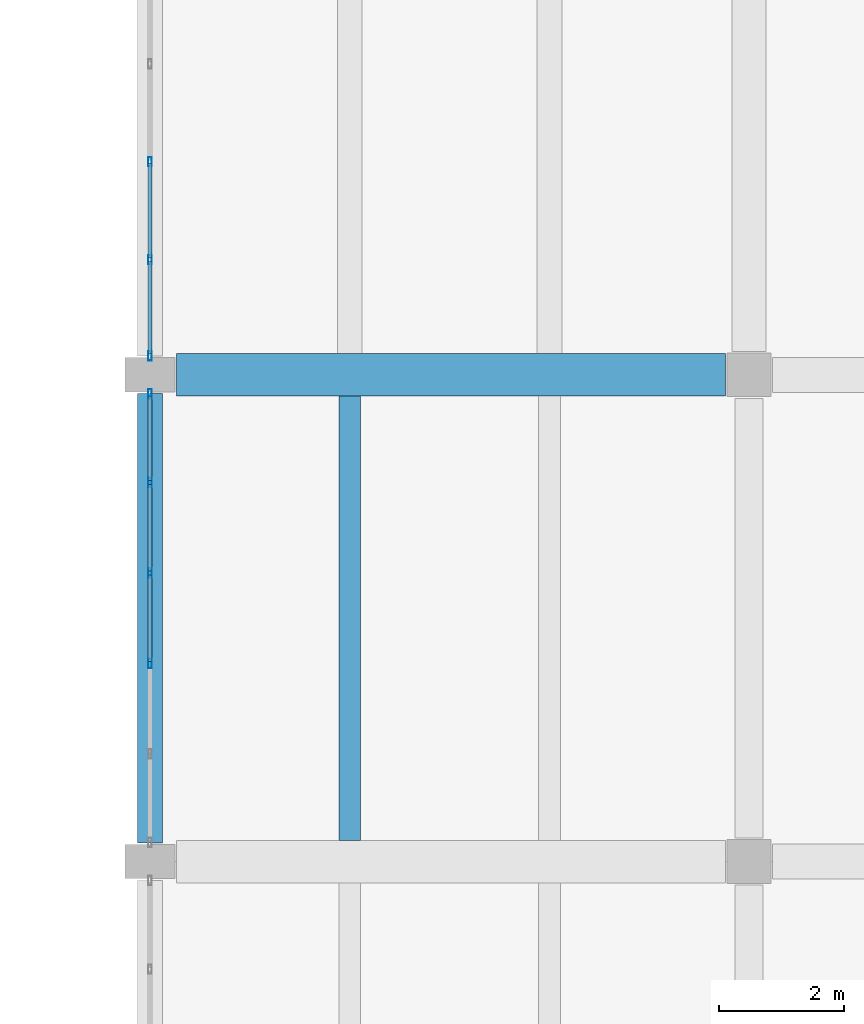
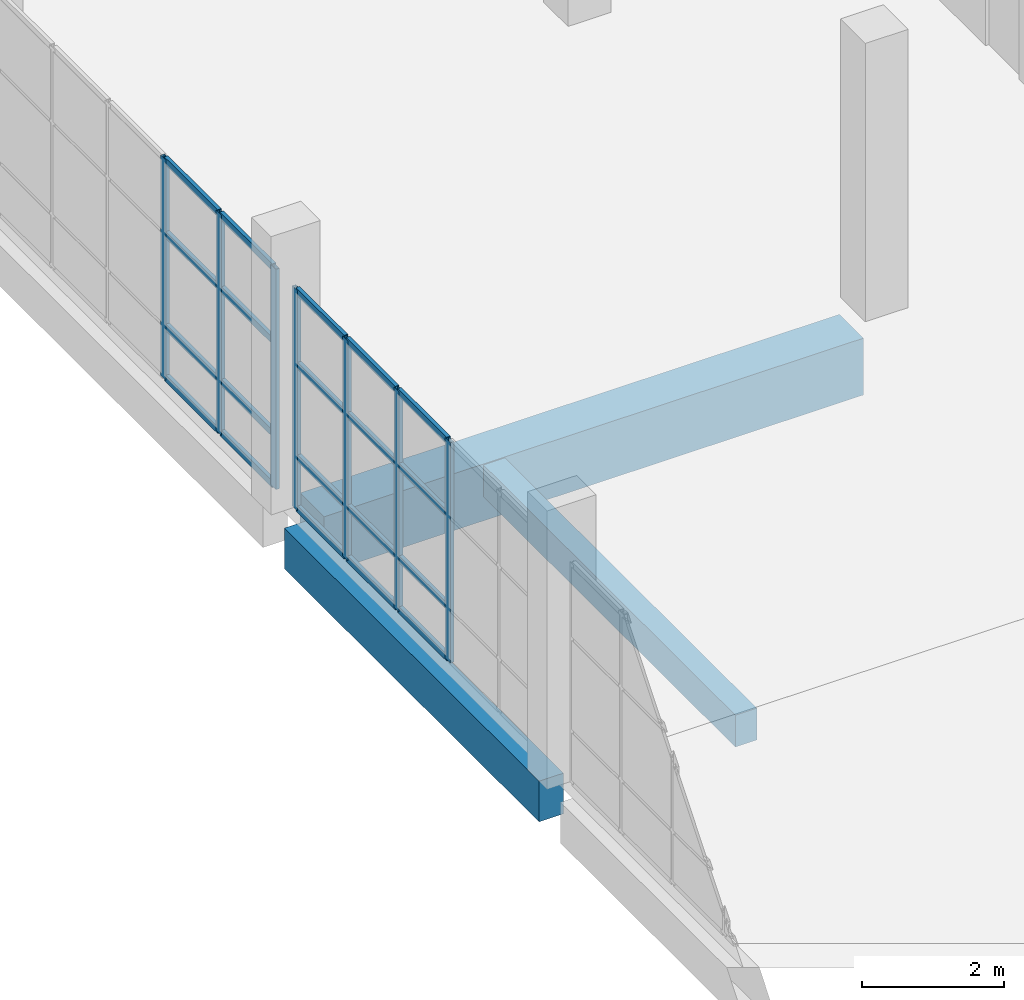
# One storey, part 58 of 91: 27 members, 3 beams, 2 elements without a shape of their own.
"""IFC4 building model written with IfcOpenShell, lengths in metres."""

from ifc_helpers import new_model, si_unit, direction, frame, origin, origin_2d, place, context, subcontext, project, spatial, rectangle, hollow_rectangle, extrude, material, material_profile, profile_set, type_object, element, aggregate, save


model = new_model("IFC4")

# Units and contexts
model_context = context("Model", 3, precision=1e-05, world=origin(), true_north=direction((0.0, 1.0)))
body_context = subcontext(model_context, "Body", "Model", "MODEL_VIEW")
ifc_project = project(units=[si_unit("LENGTHUNIT", "METRE"), si_unit("AREAUNIT", "SQUARE_METRE"), si_unit("VOLUMEUNIT", "CUBIC_METRE"), si_unit("PLANEANGLEUNIT", "RADIAN"), si_unit("MASSUNIT", "GRAM", prefix="KILO")], contexts=[model_context])

# Site, building, storey
site_placement = place(None, origin())
site = spatial("IfcSite", under=ifc_project, at=site_placement, CompositionType="ELEMENT")
building_placement = place(site_placement, origin())
building = spatial("IfcBuilding", under=site, at=building_placement, Name="Pellamere Symphony Hall", CompositionType="ELEMENT")
storey_placement = place(building_placement, frame((0.0, 0.0, 5.39990234375)))
storey = spatial("IfcBuildingStorey", under=building, at=storey_placement, Name="L01", CompositionType="ELEMENT", Elevation=5.39990234375)

# Curtain wall, members
ifc_material_1 = material(Name="Thermally Broken Anodised Aluminium 6063-T6 Curtain Wall", Category="aluminium")
curtain_wall_type = type_object("IfcCurtainWallType", Name="Curtain Wall CW-05 (Artists Wing North Studio Ribbon Curtain Wall)", PredefinedType="NOTDEFINED", material=ifc_material_1)
curtain_wall_1_placement = place(storey_placement, origin())
curtain_wall_1 = element("IfcCurtainWall", 1, at=curtain_wall_1_placement, inside=storey, type_object=curtain_wall_type, Name="Sculpture Court East Wing Curtain Wall (L01 Bay 3)", PredefinedType="NOTDEFINED")
ifc_material_2 = material(Name="Anodised Architectural Aluminium 6063-T6", Category="aluminium")
ifc_material_profile_1 = material_profile(ifc_material_2, hollow_rectangle(XDim=0.06005859375, YDim=0.14990234375, WallThickness=0.00390625, at=origin_2d()), Name="ALU-M60X150X4")
ifc_profile_set_1 = profile_set([ifc_material_profile_1], Name="Anodised Architectural Aluminium 6063-T6")
member_type_1 = type_object("IfcMemberType", Name="Curtain Wall Mullion ML-03 ALU-M60X150X4", PredefinedType="MULLION", material=ifc_profile_set_1)
member_1_placement = place(storey_placement, frame((138.0, 80.574951171875, 0.0), z_axis=(0.0, 0.0, 1.0), x_axis=(-1.0, 0.0, 0.0)))
member_1 = element("IfcMember", 2, at=member_1_placement, type_object=member_type_1, Name="CW5-134 crystal mullion 3", PredefinedType="MULLION", context=body_context, shape_type="SweptSolid", body=[
    extrude(hollow_rectangle(XDim=0.06005859375, YDim=0.14990234375, WallThickness=0.00390625, at=origin_2d()), origin(), (0.0, 0.0, 1.0), 3.800048828125),
])
member_2_placement = place(storey_placement, frame((138.0, 82.02490234375, 0.0), z_axis=(0.0, 0.0, 1.0), x_axis=(-1.0, 0.0, 0.0)))
member_2 = element("IfcMember", 3, at=member_2_placement, type_object=member_type_1, Name="CW5-134 crystal mullion 4", PredefinedType="MULLION", context=body_context, shape_type="SweptSolid", body=[
    extrude(hollow_rectangle(XDim=0.06005859375, YDim=0.14990234375, WallThickness=0.00390625, at=origin_2d()), origin(), (0.0, 0.0, 1.0), 3.800048828125),
])
member_3_placement = place(storey_placement, frame((138.0, 83.47509765625, 0.0), z_axis=(0.0, 0.0, 1.0), x_axis=(-1.0, 0.0, 0.0)))
member_3 = element("IfcMember", 4, at=member_3_placement, type_object=member_type_1, Name="CW5-134 crystal mullion 5", PredefinedType="MULLION", context=body_context, shape_type="SweptSolid", body=[
    extrude(hollow_rectangle(XDim=0.06005859375, YDim=0.14990234375, WallThickness=0.00390625, at=origin_2d()), origin(), (0.0, 0.0, 1.0), 3.800048828125),
])
member_4_placement = place(storey_placement, frame((138.0, 84.89501953125, 0.0), z_axis=(0.0, 0.0, 1.0), x_axis=(-1.0, 0.0, 0.0)))
member_4 = element("IfcMember", 5, at=member_4_placement, type_object=member_type_1, Name="CW5-134 crystal mullion 6", PredefinedType="MULLION", context=body_context, shape_type="SweptSolid", body=[
    extrude(hollow_rectangle(XDim=0.06005859375, YDim=0.14990234375, WallThickness=0.00390625, at=origin_2d()), origin(), (0.0, 0.0, 1.0), 3.800048828125),
])

curtain_wall_2_placement = place(storey_placement, origin())
curtain_wall_2 = element("IfcCurtainWall", 6, at=curtain_wall_2_placement, inside=storey, type_object=curtain_wall_type, Name="Sculpture Court East Wing Curtain Wall (L01 Bay 4)", PredefinedType="NOTDEFINED")
member_5_placement = place(storey_placement, frame((138.0, 85.5048828125, 0.0), z_axis=(0.0, 0.0, 1.0), x_axis=(-1.0, 0.0, 0.0)))
member_5 = element("IfcMember", 7, at=member_5_placement, type_object=member_type_1, Name="CW5-135 crystal mullion 1", PredefinedType="MULLION", context=body_context, shape_type="SweptSolid", body=[
    extrude(hollow_rectangle(XDim=0.06005859375, YDim=0.14990234375, WallThickness=0.00390625, at=origin_2d()), origin(), (0.0, 0.0, 1.0), 3.800048828125),
])
member_6_placement = place(storey_placement, frame((138.0, 87.044921875, 0.0), z_axis=(0.0, 0.0, 1.0), x_axis=(-1.0, 0.0, 0.0)))
member_6 = element("IfcMember", 8, at=member_6_placement, type_object=member_type_1, Name="CW5-135 crystal mullion 2", PredefinedType="MULLION", context=body_context, shape_type="SweptSolid", body=[
    extrude(hollow_rectangle(XDim=0.06005859375, YDim=0.14990234375, WallThickness=0.00390625, at=origin_2d()), origin(), (0.0, 0.0, 1.0), 3.800048828125),
])
member_7_placement = place(storey_placement, frame((138.0, 88.614990234375, 0.0), z_axis=(0.0, 0.0, 1.0), x_axis=(-1.0, 0.0, 0.0)))
member_7 = element("IfcMember", 9, at=member_7_placement, type_object=member_type_1, Name="CW5-135 crystal mullion 3", PredefinedType="MULLION", context=body_context, shape_type="SweptSolid", body=[
    extrude(hollow_rectangle(XDim=0.06005859375, YDim=0.14990234375, WallThickness=0.00390625, at=origin_2d()), origin(), (0.0, 0.0, 1.0), 3.800048828125),
])

# Member
ifc_material_profile_2 = material_profile(ifc_material_2, hollow_rectangle(XDim=0.06005859375, YDim=0.1201171875, WallThickness=0.00390625, at=origin_2d()), Name="ALU-T60X120X4")
ifc_profile_set_2 = profile_set([ifc_material_profile_2], Name="Anodised Architectural Aluminium 6063-T6")
member_type_2 = type_object("IfcMemberType", Name="Curtain Wall Transom TR-03 ALU-T60X120X4", PredefinedType="USERDEFINED", material=ifc_profile_set_2)
member_8_placement = place(storey_placement, frame((138.0, 80.60498046875, 0.030029296875), z_axis=(0.0, 1.0, 0.0), x_axis=(-1.0, 0.0, 0.0)))
member_8 = element("IfcMember", 10, at=member_8_placement, type_object=member_type_2, Name="CW5-134 crystal transom 3.1", ObjectType="TRANSOM", PredefinedType="USERDEFINED", context=body_context, shape_type="SweptSolid", body=[
    extrude(hollow_rectangle(XDim=0.06005859375, YDim=0.1201171875, WallThickness=0.00390625, at=origin_2d()), origin(), (0.0, 0.0, 1.0), 1.39013671875),
])

member_9_placement = place(storey_placement, frame((138.0, 80.60498046875, 0.912109375), z_axis=(0.0, 1.0, 0.0), x_axis=(-1.0, 0.0, 0.0)))
member_9 = element("IfcMember", 11, at=member_9_placement, type_object=member_type_2, Name="CW5-134 crystal transom 3.2", ObjectType="TRANSOM", PredefinedType="USERDEFINED", context=body_context, shape_type="SweptSolid", body=[
    extrude(hollow_rectangle(XDim=0.06005859375, YDim=0.1201171875, WallThickness=0.00390625, at=origin_2d()), origin(), (0.0, 0.0, 1.0), 1.39013671875),
])

member_10_placement = place(storey_placement, frame((138.0, 80.60498046875, 2.508056640625), z_axis=(0.0, 1.0, 0.0), x_axis=(-1.0, 0.0, 0.0)))
member_10 = element("IfcMember", 12, at=member_10_placement, type_object=member_type_2, Name="CW5-134 crystal transom 3.3", ObjectType="TRANSOM", PredefinedType="USERDEFINED", context=body_context, shape_type="SweptSolid", body=[
    extrude(hollow_rectangle(XDim=0.06005859375, YDim=0.1201171875, WallThickness=0.00390625, at=origin_2d()), origin(), (0.0, 0.0, 1.0), 1.39013671875),
])

member_11_placement = place(storey_placement, frame((138.0, 80.60498046875, 3.77001953125), z_axis=(0.0, 1.0, 0.0), x_axis=(-1.0, 0.0, 0.0)))
member_11 = element("IfcMember", 13, at=member_11_placement, type_object=member_type_2, Name="CW5-134 crystal transom 3.4", ObjectType="TRANSOM", PredefinedType="USERDEFINED", context=body_context, shape_type="SweptSolid", body=[
    extrude(hollow_rectangle(XDim=0.06005859375, YDim=0.1201171875, WallThickness=0.00390625, at=origin_2d()), origin(), (0.0, 0.0, 1.0), 1.39013671875),
])

member_12_placement = place(storey_placement, frame((138.0, 82.054931640625, 0.030029296875), z_axis=(0.0, 1.0, 0.0), x_axis=(-1.0, 0.0, 0.0)))
member_12 = element("IfcMember", 14, at=member_12_placement, type_object=member_type_2, Name="CW5-134 crystal transom 4.1", ObjectType="TRANSOM", PredefinedType="USERDEFINED", context=body_context, shape_type="SweptSolid", body=[
    extrude(hollow_rectangle(XDim=0.06005859375, YDim=0.1201171875, WallThickness=0.00390625, at=origin_2d()), origin(), (0.0, 0.0, 1.0), 1.39013671875),
])

member_13_placement = place(storey_placement, frame((138.0, 82.054931640625, 0.912109375), z_axis=(0.0, 1.0, 0.0), x_axis=(-1.0, 0.0, 0.0)))
member_13 = element("IfcMember", 15, at=member_13_placement, type_object=member_type_2, Name="CW5-134 crystal transom 4.2", ObjectType="TRANSOM", PredefinedType="USERDEFINED", context=body_context, shape_type="SweptSolid", body=[
    extrude(hollow_rectangle(XDim=0.06005859375, YDim=0.1201171875, WallThickness=0.00390625, at=origin_2d()), origin(), (0.0, 0.0, 1.0), 1.39013671875),
])

member_14_placement = place(storey_placement, frame((138.0, 82.054931640625, 2.508056640625), z_axis=(0.0, 1.0, 0.0), x_axis=(-1.0, 0.0, 0.0)))
member_14 = element("IfcMember", 16, at=member_14_placement, type_object=member_type_2, Name="CW5-134 crystal transom 4.3", ObjectType="TRANSOM", PredefinedType="USERDEFINED", context=body_context, shape_type="SweptSolid", body=[
    extrude(hollow_rectangle(XDim=0.06005859375, YDim=0.1201171875, WallThickness=0.00390625, at=origin_2d()), origin(), (0.0, 0.0, 1.0), 1.39013671875),
])

member_15_placement = place(storey_placement, frame((138.0, 82.054931640625, 3.77001953125), z_axis=(0.0, 1.0, 0.0), x_axis=(-1.0, 0.0, 0.0)))
member_15 = element("IfcMember", 17, at=member_15_placement, type_object=member_type_2, Name="CW5-134 crystal transom 4.4", ObjectType="TRANSOM", PredefinedType="USERDEFINED", context=body_context, shape_type="SweptSolid", body=[
    extrude(hollow_rectangle(XDim=0.06005859375, YDim=0.1201171875, WallThickness=0.00390625, at=origin_2d()), origin(), (0.0, 0.0, 1.0), 1.39013671875),
])

member_16_placement = place(storey_placement, frame((138.0, 83.5048828125, 0.030029296875), z_axis=(0.0, 1.0, 0.0), x_axis=(-1.0, 0.0, 0.0)))
member_16 = element("IfcMember", 18, at=member_16_placement, type_object=member_type_2, Name="CW5-134 crystal transom 5.1", ObjectType="TRANSOM", PredefinedType="USERDEFINED", context=body_context, shape_type="SweptSolid", body=[
    extrude(hollow_rectangle(XDim=0.06005859375, YDim=0.1201171875, WallThickness=0.00390625, at=origin_2d()), origin(), (0.0, 0.0, 1.0), 1.360107421875),
])

member_17_placement = place(storey_placement, frame((138.0, 83.5048828125, 0.912109375), z_axis=(0.0, 1.0, 0.0), x_axis=(-1.0, 0.0, 0.0)))
member_17 = element("IfcMember", 19, at=member_17_placement, type_object=member_type_2, Name="CW5-134 crystal transom 5.2", ObjectType="TRANSOM", PredefinedType="USERDEFINED", context=body_context, shape_type="SweptSolid", body=[
    extrude(hollow_rectangle(XDim=0.06005859375, YDim=0.1201171875, WallThickness=0.00390625, at=origin_2d()), origin(), (0.0, 0.0, 1.0), 1.360107421875),
])

member_18_placement = place(storey_placement, frame((138.0, 83.5048828125, 2.508056640625), z_axis=(0.0, 1.0, 0.0), x_axis=(-1.0, 0.0, 0.0)))
member_18 = element("IfcMember", 20, at=member_18_placement, type_object=member_type_2, Name="CW5-134 crystal transom 5.3", ObjectType="TRANSOM", PredefinedType="USERDEFINED", context=body_context, shape_type="SweptSolid", body=[
    extrude(hollow_rectangle(XDim=0.06005859375, YDim=0.1201171875, WallThickness=0.00390625, at=origin_2d()), origin(), (0.0, 0.0, 1.0), 1.360107421875),
])

member_19_placement = place(storey_placement, frame((138.0, 83.5048828125, 3.77001953125), z_axis=(0.0, 1.0, 0.0), x_axis=(-1.0, 0.0, 0.0)))
member_19 = element("IfcMember", 21, at=member_19_placement, type_object=member_type_2, Name="CW5-134 crystal transom 5.4", ObjectType="TRANSOM", PredefinedType="USERDEFINED", context=body_context, shape_type="SweptSolid", body=[
    extrude(hollow_rectangle(XDim=0.06005859375, YDim=0.1201171875, WallThickness=0.00390625, at=origin_2d()), origin(), (0.0, 0.0, 1.0), 1.360107421875),
])

aggregate(curtain_wall_1, [member_1, member_2, member_3, member_4, member_8, member_9, member_10, member_11, member_12, member_13, member_14, member_15, member_16, member_17, member_18, member_19])

member_20_placement = place(storey_placement, frame((138.0, 85.534912109375, 0.030029296875), z_axis=(0.0, 1.0, 0.0), x_axis=(-1.0, 0.0, 0.0)))
member_20 = element("IfcMember", 22, at=member_20_placement, type_object=member_type_2, Name="CW5-135 crystal transom 1.1", ObjectType="TRANSOM", PredefinedType="USERDEFINED", context=body_context, shape_type="SweptSolid", body=[
    extrude(hollow_rectangle(XDim=0.06005859375, YDim=0.1201171875, WallThickness=0.00390625, at=origin_2d()), origin(), (0.0, 0.0, 1.0), 1.47998046875),
])

member_21_placement = place(storey_placement, frame((138.0, 85.534912109375, 0.912109375), z_axis=(0.0, 1.0, 0.0), x_axis=(-1.0, 0.0, 0.0)))
member_21 = element("IfcMember", 23, at=member_21_placement, type_object=member_type_2, Name="CW5-135 crystal transom 1.2", ObjectType="TRANSOM", PredefinedType="USERDEFINED", context=body_context, shape_type="SweptSolid", body=[
    extrude(hollow_rectangle(XDim=0.06005859375, YDim=0.1201171875, WallThickness=0.00390625, at=origin_2d()), origin(), (0.0, 0.0, 1.0), 1.47998046875),
])

member_22_placement = place(storey_placement, frame((138.0, 85.534912109375, 2.508056640625), z_axis=(0.0, 1.0, 0.0), x_axis=(-1.0, 0.0, 0.0)))
member_22 = element("IfcMember", 24, at=member_22_placement, type_object=member_type_2, Name="CW5-135 crystal transom 1.3", ObjectType="TRANSOM", PredefinedType="USERDEFINED", context=body_context, shape_type="SweptSolid", body=[
    extrude(hollow_rectangle(XDim=0.06005859375, YDim=0.1201171875, WallThickness=0.00390625, at=origin_2d()), origin(), (0.0, 0.0, 1.0), 1.47998046875),
])

member_23_placement = place(storey_placement, frame((138.0, 85.534912109375, 3.77001953125), z_axis=(0.0, 1.0, 0.0), x_axis=(-1.0, 0.0, 0.0)))
member_23 = element("IfcMember", 25, at=member_23_placement, type_object=member_type_2, Name="CW5-135 crystal transom 1.4", ObjectType="TRANSOM", PredefinedType="USERDEFINED", context=body_context, shape_type="SweptSolid", body=[
    extrude(hollow_rectangle(XDim=0.06005859375, YDim=0.1201171875, WallThickness=0.00390625, at=origin_2d()), origin(), (0.0, 0.0, 1.0), 1.47998046875),
])

member_24_placement = place(storey_placement, frame((138.0, 87.074951171875, 0.030029296875), z_axis=(0.0, 1.0, 0.0), x_axis=(-1.0, 0.0, 0.0)))
member_24 = element("IfcMember", 26, at=member_24_placement, type_object=member_type_2, Name="CW5-135 crystal transom 2.1", ObjectType="TRANSOM", PredefinedType="USERDEFINED", context=body_context, shape_type="SweptSolid", body=[
    extrude(hollow_rectangle(XDim=0.06005859375, YDim=0.1201171875, WallThickness=0.00390625, at=origin_2d()), origin(), (0.0, 0.0, 1.0), 1.510009765625),
])

member_25_placement = place(storey_placement, frame((138.0, 87.074951171875, 0.912109375), z_axis=(0.0, 1.0, 0.0), x_axis=(-1.0, 0.0, 0.0)))
member_25 = element("IfcMember", 27, at=member_25_placement, type_object=member_type_2, Name="CW5-135 crystal transom 2.2", ObjectType="TRANSOM", PredefinedType="USERDEFINED", context=body_context, shape_type="SweptSolid", body=[
    extrude(hollow_rectangle(XDim=0.06005859375, YDim=0.1201171875, WallThickness=0.00390625, at=origin_2d()), origin(), (0.0, 0.0, 1.0), 1.510009765625),
])

member_26_placement = place(storey_placement, frame((138.0, 87.074951171875, 2.508056640625), z_axis=(0.0, 1.0, 0.0), x_axis=(-1.0, 0.0, 0.0)))
member_26 = element("IfcMember", 28, at=member_26_placement, type_object=member_type_2, Name="CW5-135 crystal transom 2.3", ObjectType="TRANSOM", PredefinedType="USERDEFINED", context=body_context, shape_type="SweptSolid", body=[
    extrude(hollow_rectangle(XDim=0.06005859375, YDim=0.1201171875, WallThickness=0.00390625, at=origin_2d()), origin(), (0.0, 0.0, 1.0), 1.510009765625),
])

member_27_placement = place(storey_placement, frame((138.0, 87.074951171875, 3.77001953125), z_axis=(0.0, 1.0, 0.0), x_axis=(-1.0, 0.0, 0.0)))
member_27 = element("IfcMember", 29, at=member_27_placement, type_object=member_type_2, Name="CW5-135 crystal transom 2.4", ObjectType="TRANSOM", PredefinedType="USERDEFINED", context=body_context, shape_type="SweptSolid", body=[
    extrude(hollow_rectangle(XDim=0.06005859375, YDim=0.1201171875, WallThickness=0.00390625, at=origin_2d()), origin(), (0.0, 0.0, 1.0), 1.510009765625),
])

aggregate(curtain_wall_2, [member_5, member_6, member_7, member_20, member_21, member_22, member_23, member_24, member_25, member_26, member_27])

# Beams
ifc_material_3 = material(Name="Concrete 35 MPa", Category="concrete")
ifc_material_profile_3 = material_profile(ifc_material_3, rectangle(XDim=0.35009765625, YDim=0.550048828125, at=origin_2d()), Name="RC 350x550")
ifc_profile_set_3 = profile_set([ifc_material_profile_3], Name="Concrete 35 MPa")
beam_type_1 = type_object("IfcBeamType", Name="RC CB-10 350x550", PredefinedType="BEAM", material=ifc_profile_set_3)
beam_1_placement = place(storey_placement, frame((141.199951171875, 77.739990234375, -0.56982421875), z_axis=(0.0, 1.0, 0.0), x_axis=(-1.0, 0.0, 0.0)))
element("IfcBeam", 30, at=beam_1_placement, inside=storey, type_object=beam_type_1, Name="Secondary Floor Beam CB-10-A1710 (L01)", PredefinedType="BEAM", context=body_context, shape_type="SweptSolid", body=[
    extrude(rectangle(XDim=0.35009765625, YDim=0.550048828125, at=origin_2d()), origin(), (0.0, 0.0, 1.0), 7.1201171875),
])
ifc_material_4 = material(Name="Concrete 40 MPa", Category="concrete")
ifc_material_profile_4 = material_profile(ifc_material_4, rectangle(XDim=0.39990234375, YDim=0.699951171875, at=origin_2d()), Name="RC 400x700")
ifc_profile_set_4 = profile_set([ifc_material_profile_4], Name="Concrete 40 MPa")
beam_type_2 = type_object("IfcBeamType", Name="RC CB-13 400x700", PredefinedType="SPANDREL", material=ifc_profile_set_4)
beam_2_placement = place(storey_placement, frame((138.0, 77.699951171875, -0.6298828125), z_axis=(0.0, 1.0, 0.0), x_axis=(-1.0, 0.0, 0.0)))
element("IfcBeam", 31, at=beam_2_placement, inside=storey, type_object=beam_type_2, Name="Girder CB-13-Y0848 (L01)", PredefinedType="SPANDREL", context=body_context, shape_type="SweptSolid", body=[
    extrude(rectangle(XDim=0.39990234375, YDim=0.699951171875, at=origin_2d()), origin(), (0.0, 0.0, 1.0), 7.199951171875),
])
ifc_material_profile_5 = material_profile(ifc_material_4, rectangle(XDim=0.679931640625, YDim=0.97998046875, at=origin_2d()), Name="RC 680x980")
ifc_profile_set_5 = profile_set([ifc_material_profile_5], Name="Concrete 40 MPa")
beam_type_3 = type_object("IfcBeamType", Name="RC CB-22 680x980", PredefinedType="BEAM", material=ifc_profile_set_5)
beam_3_placement = place(storey_placement, frame((138.425048828125, 85.199951171875, -0.77001953125), z_axis=(1.0, 0.0, 0.0), x_axis=(0.0, 1.0, 0.0)))
element("IfcBeam", 32, at=beam_3_placement, inside=storey, type_object=beam_type_3, Name="Girder CB-22-X0679 (L01)", PredefinedType="BEAM", context=body_context, shape_type="SweptSolid", body=[
    extrude(rectangle(XDim=0.679931640625, YDim=0.97998046875, at=origin_2d()), origin(), (0.0, 0.0, 1.0), 8.800048828125),
])

save(model, "model.ifc")
